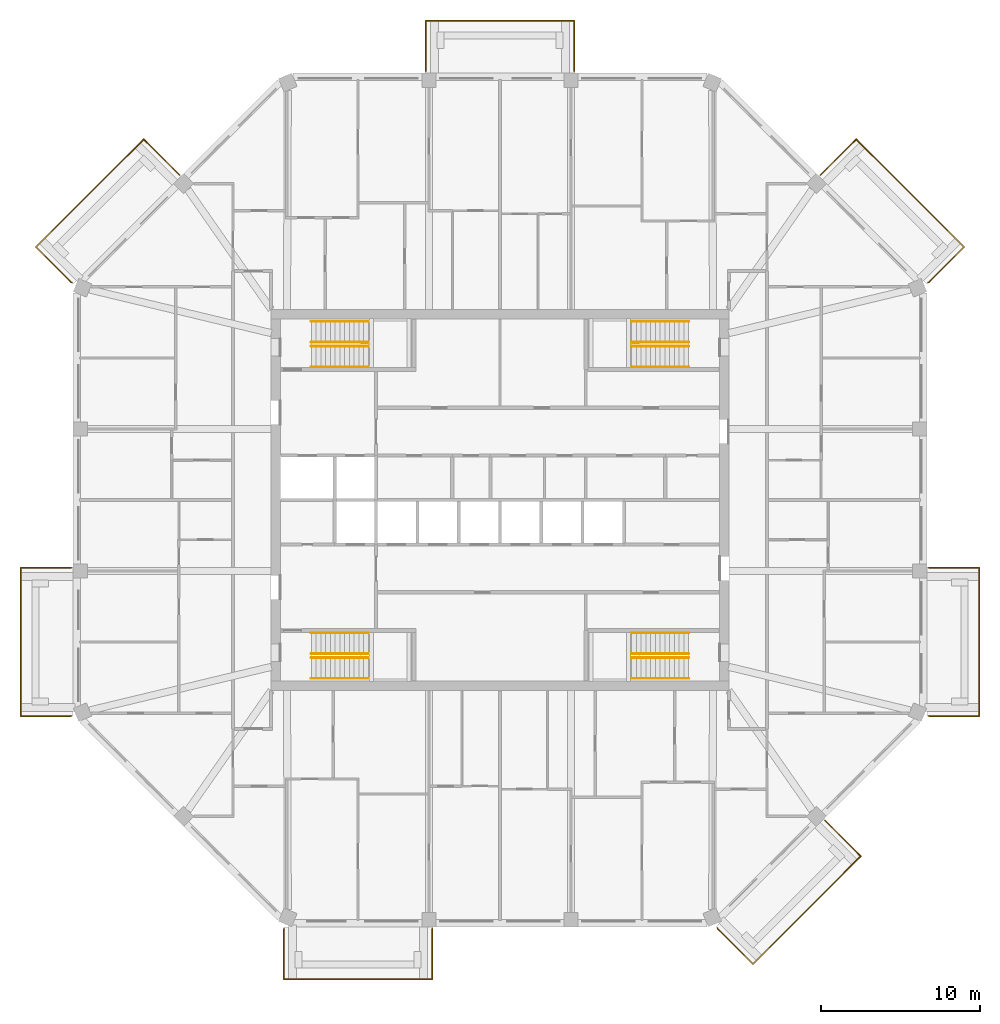
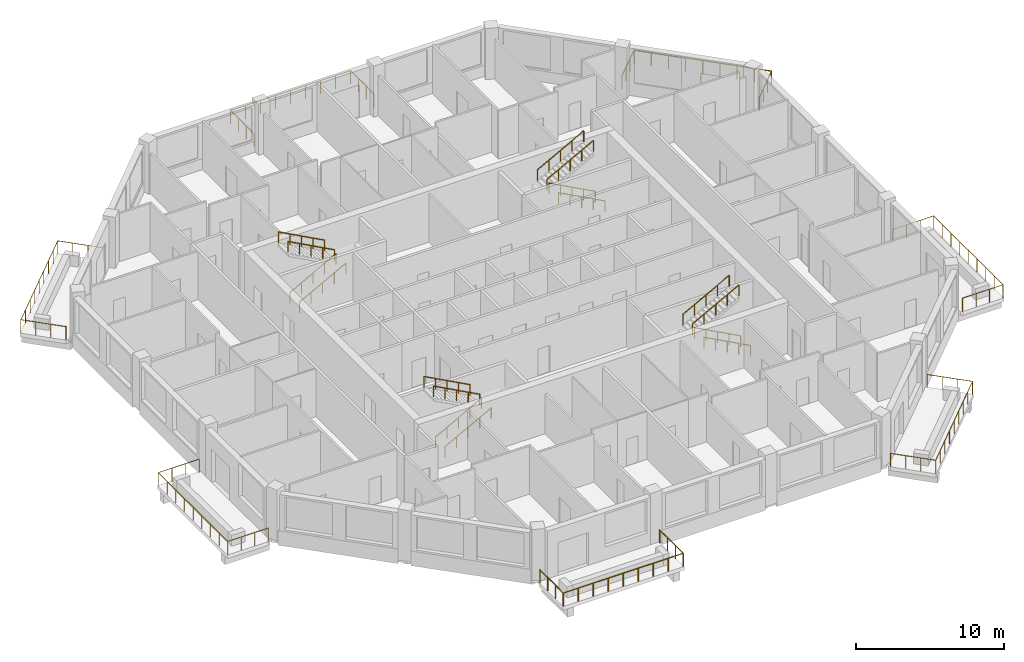
# One storey, part 11 of 11: 23 railings.
"""IFC4 building model written with IfcOpenShell, lengths in metres."""

from ifc_helpers import new_model, si_unit, direction, frame, origin, origin_2d, place, context, subcontext, project, spatial, circle, extrude, material, constituent, constituent_set, type_object, element, save


model = new_model("IFC4")

# Units and contexts
model_context = context("Model", 3, precision=1e-05, world=origin(), true_north=direction((0.0, 1.0)))
body_context = subcontext(model_context, "Body", "Model", "MODEL_VIEW")
ifc_project = project(units=[si_unit("LENGTHUNIT", "METRE"), si_unit("AREAUNIT", "SQUARE_METRE"), si_unit("VOLUMEUNIT", "CUBIC_METRE"), si_unit("PLANEANGLEUNIT", "RADIAN"), si_unit("MASSUNIT", "GRAM", prefix="KILO")], contexts=[model_context])

# Site, building, storey
site_placement = place(None, origin())
site = spatial("IfcSite", under=ifc_project, at=site_placement, CompositionType="ELEMENT")
building_placement = place(site_placement, origin())
building = spatial("IfcBuilding", under=site, at=building_placement, Name="Msitu Wima Residences", CompositionType="ELEMENT")
storey_placement = place(building_placement, frame((0.0, 0.0, 234.89990234375)))
storey = spatial("IfcBuildingStorey", under=building, at=storey_placement, Name="L54", CompositionType="ELEMENT", Elevation=234.89990234375)

# Railings
ifc_material_1 = material(Name="Steel S355", Category="steel")
ifc_constituent_1 = constituent(ifc_material_1, Name="Steel S355")
ifc_material_2 = material(Name="Weathering patina")
ifc_constituent_2 = constituent(ifc_material_2, Name="Weathering patina")
ifc_constituent_set_1 = constituent_set(constituents=[ifc_constituent_1, ifc_constituent_2], Name="Steel S355")
railing_type_1 = type_object("IfcRailingType", Name="Balcony guard GR1100", PredefinedType="GUARDRAIL", material=ifc_constituent_set_1)
railing_1_placement = place(storey_placement, frame((26.97998046875, -4.2685546875, 0.0)))
element("IfcRailing", 1, at=railing_1_placement, inside=storey, type_object=railing_type_1, Name="Balcony guard E0 L54", PredefinedType="GUARDRAIL", context=body_context, shape_type="SweptSolid", body=[
    extrude(circle(Radius=0.02392578125, at=origin_2d()), frame((0.0, 0.0, 1.076171875), z_axis=(1.0, 0.0, 0.0), x_axis=(0.0, 1.0, 0.0)), (0.0, 0.0, 1.0), 3.169921875),
    extrude(circle(Radius=0.02392578125, at=origin_2d()), frame((3.169921875, 0.0, 1.076171875), z_axis=(0.0, -1.0, 0.0), x_axis=(1.0, 0.0, 0.0)), (0.0, 0.0, 1.0), 9.33740234375),
    extrude(circle(Radius=0.02392578125, at=origin_2d()), frame((3.169921875, -9.33740234375, 1.076171875), z_axis=(-1.0, 0.0, 0.0), x_axis=(0.0, -1.0, 0.0)), (0.0, 0.0, 1.0), 3.136474609375),
    extrude(circle(Radius=0.02392578125, at=origin_2d()), frame((0.033447265625, -9.33740234375, 1.076171875), z_axis=(-0.923276184907, 0.384136806859, 0.0), x_axis=(-0.384136806859, -0.923276184907, 0.0)), (0.0, 0.0, 1.0), 0.0361328125),
    extrude(circle(Radius=0.02099609375, at=origin_2d()), origin(), (0.0, 0.0, 1.0), 1.052001953125),
    extrude(circle(Radius=0.02099609375, at=origin_2d()), frame((1.056640625, 0.0, 0.0)), (0.0, 0.0, 1.0), 1.052001953125),
    extrude(circle(Radius=0.02099609375, at=origin_2d()), frame((2.11328125, 0.0, 0.0)), (0.0, 0.0, 1.0), 1.052001953125),
    extrude(circle(Radius=0.02099609375, at=origin_2d()), frame((3.169921875, 0.0, 0.0)), (0.0, 0.0, 1.0), 1.052001953125),
    extrude(circle(Radius=0.02099609375, at=origin_2d()), frame((3.169921875, -1.167236328125, 0.0)), (0.0, 0.0, 1.0), 1.052001953125),
    extrude(circle(Radius=0.02099609375, at=origin_2d()), frame((3.169921875, -2.33447265625, 0.0)), (0.0, 0.0, 1.0), 1.052001953125),
    extrude(circle(Radius=0.02099609375, at=origin_2d()), frame((3.169921875, -3.50146484375, 0.0)), (0.0, 0.0, 1.0), 1.052001953125),
    extrude(circle(Radius=0.02099609375, at=origin_2d()), frame((3.169921875, -4.668701171875, 0.0)), (0.0, 0.0, 1.0), 1.052001953125),
    extrude(circle(Radius=0.02099609375, at=origin_2d()), frame((3.169921875, -5.8359375, 0.0)), (0.0, 0.0, 1.0), 1.052001953125),
    extrude(circle(Radius=0.02099609375, at=origin_2d()), frame((3.169921875, -7.0029296875, 0.0)), (0.0, 0.0, 1.0), 1.052001953125),
    extrude(circle(Radius=0.02099609375, at=origin_2d()), frame((3.169921875, -8.170166015625, 0.0)), (0.0, 0.0, 1.0), 1.052001953125),
    extrude(circle(Radius=0.02099609375, at=origin_2d()), frame((3.169921875, -9.33740234375, 0.0)), (0.0, 0.0, 1.0), 1.052001953125),
    extrude(circle(Radius=0.02099609375, at=origin_2d()), frame((2.12451171875, -9.33740234375, 0.0)), (0.0, 0.0, 1.0), 1.052001953125),
    extrude(circle(Radius=0.02099609375, at=origin_2d()), frame((1.078857421875, -9.33740234375, 0.0)), (0.0, 0.0, 1.0), 1.052001953125),
    extrude(circle(Radius=0.02099609375, at=origin_2d()), frame((0.033447265625, -9.33740234375, 0.0)), (0.0, 0.0, 1.0), 1.052001953125),
    extrude(circle(Radius=0.02099609375, at=origin_2d()), frame((0.0, -9.323486328125, 0.0)), (0.0, 0.0, 1.0), 1.052001953125),
])
railing_2_placement = place(storey_placement, frame((20.171630859375, 20.45458984375, 0.0)))
element("IfcRailing", 2, at=railing_2_placement, inside=storey, type_object=railing_type_1, Name="Balcony guard NE0 L54", PredefinedType="GUARDRAIL", context=body_context, shape_type="SweptSolid", body=[
    extrude(circle(Radius=0.02392578125, at=origin_2d()), frame((0.0, 0.0, 1.076171875), z_axis=(0.707106781187, 0.707106781187, 0.0), x_axis=(-0.707106781187, 0.707106781187, 0.0)), (0.0, 0.0, 1.0), 3.169921875),
    extrude(circle(Radius=0.02392578125, at=origin_2d()), frame((2.241455078125, 2.241455078125, 1.076171875), z_axis=(0.707106781187, -0.707106781187, 0.0), x_axis=(0.707106781187, 0.707106781187, 0.0)), (0.0, 0.0, 1.0), 9.58837890625),
    extrude(circle(Radius=0.02392578125, at=origin_2d()), frame((9.021484375, -4.53857421875, 1.076171875), z_axis=(-0.707106781187, -0.707106781187, 0.0), x_axis=(0.707106781187, -0.707106781187, 0.0)), (0.0, 0.0, 1.0), 3.136474609375),
    extrude(circle(Radius=0.02392578125, at=origin_2d()), frame((6.8037109375, -6.75634765625, 1.076171875), z_axis=(-0.92426142649, -0.38176015442, 0.0), x_axis=(0.38176015442, -0.92426142649, 0.0)), (0.0, 0.0, 1.0), 0.036376953125),
    extrude(circle(Radius=0.02099609375, at=origin_2d()), origin(), (0.0, 0.0, 1.0), 1.052001953125),
    extrude(circle(Radius=0.02099609375, at=origin_2d()), frame((0.7470703125, 0.7470703125, 0.0)), (0.0, 0.0, 1.0), 1.052001953125),
    extrude(circle(Radius=0.02099609375, at=origin_2d()), frame((1.494384765625, 1.494384765625, 0.0)), (0.0, 0.0, 1.0), 1.052001953125),
    extrude(circle(Radius=0.02099609375, at=origin_2d()), frame((2.241455078125, 2.241455078125, 0.0)), (0.0, 0.0, 1.0), 1.052001953125),
    extrude(circle(Radius=0.02099609375, at=origin_2d()), frame((3.0888671875, 1.39404296875, 0.0)), (0.0, 0.0, 1.0), 1.052001953125),
    extrude(circle(Radius=0.02099609375, at=origin_2d()), frame((3.9365234375, 0.54638671875, 0.0)), (0.0, 0.0, 1.0), 1.052001953125),
    extrude(circle(Radius=0.02099609375, at=origin_2d()), frame((4.783935546875, -0.301025390625, 0.0)), (0.0, 0.0, 1.0), 1.052001953125),
    extrude(circle(Radius=0.02099609375, at=origin_2d()), frame((5.63134765625, -1.1484375, 0.0)), (0.0, 0.0, 1.0), 1.052001953125),
    extrude(circle(Radius=0.02099609375, at=origin_2d()), frame((6.47900390625, -1.99609375, 0.0)), (0.0, 0.0, 1.0), 1.052001953125),
    extrude(circle(Radius=0.02099609375, at=origin_2d()), frame((7.326416015625, -2.843505859375, 0.0)), (0.0, 0.0, 1.0), 1.052001953125),
    extrude(circle(Radius=0.02099609375, at=origin_2d()), frame((8.174072265625, -3.691162109375, 0.0)), (0.0, 0.0, 1.0), 1.052001953125),
    extrude(circle(Radius=0.02099609375, at=origin_2d()), frame((9.021484375, -4.53857421875, 0.0)), (0.0, 0.0, 1.0), 1.052001953125),
    extrude(circle(Radius=0.02099609375, at=origin_2d()), frame((8.2822265625, -5.27783203125, 0.0)), (0.0, 0.0, 1.0), 1.052001953125),
    extrude(circle(Radius=0.02099609375, at=origin_2d()), frame((7.54296875, -6.01708984375, 0.0)), (0.0, 0.0, 1.0), 1.052001953125),
    extrude(circle(Radius=0.02099609375, at=origin_2d()), frame((6.8037109375, -6.75634765625, 0.0)), (0.0, 0.0, 1.0), 1.052001953125),
    extrude(circle(Radius=0.02099609375, at=origin_2d()), frame((6.77001953125, -6.770263671875, 0.0)), (0.0, 0.0, 1.0), 1.052001953125),
])
railing_3_placement = place(storey_placement, frame((-4.668701171875, 26.97998046875, 0.0)))
element("IfcRailing", 3, at=railing_3_placement, inside=storey, type_object=railing_type_1, Name="Balcony guard N1 L54", PredefinedType="GUARDRAIL", context=body_context, shape_type="SweptSolid", body=[
    extrude(circle(Radius=0.02392578125, at=origin_2d()), frame((0.0, 0.0, 1.076171875), z_axis=(0.0, 1.0, 0.0), x_axis=(-1.0, 0.0, 0.0)), (0.0, 0.0, 1.0), 3.169921875),
    extrude(circle(Radius=0.02392578125, at=origin_2d()), frame((0.0, 3.169921875, 1.076171875), z_axis=(1.0, 0.0, 0.0), x_axis=(0.0, 1.0, 0.0)), (0.0, 0.0, 1.0), 9.33740234375),
    extrude(circle(Radius=0.02392578125, at=origin_2d()), frame((9.33740234375, 3.169921875, 1.076171875), z_axis=(0.0, -1.0, 0.0), x_axis=(1.0, 0.0, 0.0)), (0.0, 0.0, 1.0), 3.169921875),
    extrude(circle(Radius=0.02099609375, at=origin_2d()), origin(), (0.0, 0.0, 1.0), 1.052001953125),
    extrude(circle(Radius=0.02099609375, at=origin_2d()), frame((0.0, 1.056640625, 0.0)), (0.0, 0.0, 1.0), 1.052001953125),
    extrude(circle(Radius=0.02099609375, at=origin_2d()), frame((0.0, 2.11328125, 0.0)), (0.0, 0.0, 1.0), 1.052001953125),
    extrude(circle(Radius=0.02099609375, at=origin_2d()), frame((0.0, 3.169921875, 0.0)), (0.0, 0.0, 1.0), 1.052001953125),
    extrude(circle(Radius=0.02099609375, at=origin_2d()), frame((1.167236328125, 3.169921875, 0.0)), (0.0, 0.0, 1.0), 1.052001953125),
    extrude(circle(Radius=0.02099609375, at=origin_2d()), frame((2.33447265625, 3.169921875, 0.0)), (0.0, 0.0, 1.0), 1.052001953125),
    extrude(circle(Radius=0.02099609375, at=origin_2d()), frame((3.50146484375, 3.169921875, 0.0)), (0.0, 0.0, 1.0), 1.052001953125),
    extrude(circle(Radius=0.02099609375, at=origin_2d()), frame((4.668701171875, 3.169921875, 0.0)), (0.0, 0.0, 1.0), 1.052001953125),
    extrude(circle(Radius=0.02099609375, at=origin_2d()), frame((5.8359375, 3.169921875, 0.0)), (0.0, 0.0, 1.0), 1.052001953125),
    extrude(circle(Radius=0.02099609375, at=origin_2d()), frame((7.0029296875, 3.169921875, 0.0)), (0.0, 0.0, 1.0), 1.052001953125),
    extrude(circle(Radius=0.02099609375, at=origin_2d()), frame((8.170166015625, 3.169921875, 0.0)), (0.0, 0.0, 1.0), 1.052001953125),
    extrude(circle(Radius=0.02099609375, at=origin_2d()), frame((9.33740234375, 3.169921875, 0.0)), (0.0, 0.0, 1.0), 1.052001953125),
    extrude(circle(Radius=0.02099609375, at=origin_2d()), frame((9.33740234375, 2.11328125, 0.0)), (0.0, 0.0, 1.0), 1.052001953125),
    extrude(circle(Radius=0.02099609375, at=origin_2d()), frame((9.33740234375, 1.056640625, 0.0)), (0.0, 0.0, 1.0), 1.052001953125),
    extrude(circle(Radius=0.02099609375, at=origin_2d()), frame((9.33740234375, 0.0, 0.0)), (0.0, 0.0, 1.0), 1.052001953125),
])
railing_4_placement = place(storey_placement, frame((-26.941650390625, 13.684326171875, 0.0)))
element("IfcRailing", 4, at=railing_4_placement, inside=storey, type_object=railing_type_1, Name="Balcony guard NW1 L54", PredefinedType="GUARDRAIL", context=body_context, shape_type="SweptSolid", body=[
    extrude(circle(Radius=0.02392578125, at=origin_2d()), frame((0.0, 0.0, 1.076171875), z_axis=(-0.92426142649, 0.38176015442, 0.0), x_axis=(-0.38176015442, -0.92426142649, 0.0)), (0.0, 0.0, 1.0), 0.036376953125),
    extrude(circle(Radius=0.02392578125, at=origin_2d()), frame((-0.03369140625, 0.013916015625, 1.076171875), z_axis=(-0.707106781187, 0.707106781187, 0.0), x_axis=(-0.707106781187, -0.707106781187, 0.0)), (0.0, 0.0, 1.0), 3.136474609375),
    extrude(circle(Radius=0.02392578125, at=origin_2d()), frame((-2.25146484375, 2.231689453125, 1.076171875), z_axis=(0.707106781187, 0.707106781187, 0.0), x_axis=(-0.707106781187, 0.707106781187, 0.0)), (0.0, 0.0, 1.0), 9.58837890625),
    extrude(circle(Radius=0.02392578125, at=origin_2d()), frame((4.528564453125, 9.01171875, 1.076171875), z_axis=(0.707106781187, -0.707106781187, 0.0), x_axis=(0.707106781187, 0.707106781187, 0.0)), (0.0, 0.0, 1.0), 3.169921875),
    extrude(circle(Radius=0.02099609375, at=origin_2d()), origin(), (0.0, 0.0, 1.0), 1.052001953125),
    extrude(circle(Radius=0.02099609375, at=origin_2d()), frame((-0.03369140625, 0.013916015625, 0.0)), (0.0, 0.0, 1.0), 1.052001953125),
    extrude(circle(Radius=0.02099609375, at=origin_2d()), frame((-0.77294921875, 0.753173828125, 0.0)), (0.0, 0.0, 1.0), 1.052001953125),
    extrude(circle(Radius=0.02099609375, at=origin_2d()), frame((-1.51220703125, 1.492431640625, 0.0)), (0.0, 0.0, 1.0), 1.052001953125),
    extrude(circle(Radius=0.02099609375, at=origin_2d()), frame((-2.25146484375, 2.231689453125, 0.0)), (0.0, 0.0, 1.0), 1.052001953125),
    extrude(circle(Radius=0.02099609375, at=origin_2d()), frame((-1.404052734375, 3.0791015625, 0.0)), (0.0, 0.0, 1.0), 1.052001953125),
    extrude(circle(Radius=0.02099609375, at=origin_2d()), frame((-0.556396484375, 3.9267578125, 0.0)), (0.0, 0.0, 1.0), 1.052001953125),
    extrude(circle(Radius=0.02099609375, at=origin_2d()), frame((0.291015625, 4.774169921875, 0.0)), (0.0, 0.0, 1.0), 1.052001953125),
    extrude(circle(Radius=0.02099609375, at=origin_2d()), frame((1.138671875, 5.62158203125, 0.0)), (0.0, 0.0, 1.0), 1.052001953125),
    extrude(circle(Radius=0.02099609375, at=origin_2d()), frame((1.986083984375, 6.46923828125, 0.0)), (0.0, 0.0, 1.0), 1.052001953125),
    extrude(circle(Radius=0.02099609375, at=origin_2d()), frame((2.83349609375, 7.316650390625, 0.0)), (0.0, 0.0, 1.0), 1.052001953125),
    extrude(circle(Radius=0.02099609375, at=origin_2d()), frame((3.68115234375, 8.164306640625, 0.0)), (0.0, 0.0, 1.0), 1.052001953125),
    extrude(circle(Radius=0.02099609375, at=origin_2d()), frame((4.528564453125, 9.01171875, 0.0)), (0.0, 0.0, 1.0), 1.052001953125),
    extrude(circle(Radius=0.02099609375, at=origin_2d()), frame((5.275634765625, 8.2646484375, 0.0)), (0.0, 0.0, 1.0), 1.052001953125),
    extrude(circle(Radius=0.02099609375, at=origin_2d()), frame((6.02294921875, 7.517333984375, 0.0)), (0.0, 0.0, 1.0), 1.052001953125),
    extrude(circle(Radius=0.02099609375, at=origin_2d()), frame((6.77001953125, 6.770263671875, 0.0)), (0.0, 0.0, 1.0), 1.052001953125),
])
railing_5_placement = place(storey_placement, frame((-26.97998046875, -13.592041015625, 0.0)))
element("IfcRailing", 5, at=railing_5_placement, inside=storey, type_object=railing_type_1, Name="Balcony guard W2 L54", PredefinedType="GUARDRAIL", context=body_context, shape_type="SweptSolid", body=[
    extrude(circle(Radius=0.02392578125, at=origin_2d()), frame((0.0, 0.0, 1.076171875), z_axis=(-0.923276184907, -0.384136806859, 0.0), x_axis=(0.384136806859, -0.923276184907, 0.0)), (0.0, 0.0, 1.0), 0.0361328125),
    extrude(circle(Radius=0.02392578125, at=origin_2d()), frame((-0.033447265625, -0.013916015625, 1.076171875), z_axis=(-1.0, 0.0, 0.0), x_axis=(0.0, -1.0, 0.0)), (0.0, 0.0, 1.0), 3.136474609375),
    extrude(circle(Radius=0.02392578125, at=origin_2d()), frame((-3.169921875, -0.013916015625, 1.076171875), z_axis=(0.0, 1.0, 0.0), x_axis=(-1.0, 0.0, 0.0)), (0.0, 0.0, 1.0), 9.33740234375),
    extrude(circle(Radius=0.02392578125, at=origin_2d()), frame((-3.169921875, 9.323486328125, 1.076171875), z_axis=(1.0, 0.0, 0.0), x_axis=(0.0, 1.0, 0.0)), (0.0, 0.0, 1.0), 3.169921875),
    extrude(circle(Radius=0.02099609375, at=origin_2d()), origin(), (0.0, 0.0, 1.0), 1.052001953125),
    extrude(circle(Radius=0.02099609375, at=origin_2d()), frame((-0.033447265625, -0.013916015625, 0.0)), (0.0, 0.0, 1.0), 1.052001953125),
    extrude(circle(Radius=0.02099609375, at=origin_2d()), frame((-1.078857421875, -0.013916015625, 0.0)), (0.0, 0.0, 1.0), 1.052001953125),
    extrude(circle(Radius=0.02099609375, at=origin_2d()), frame((-2.12451171875, -0.013916015625, 0.0)), (0.0, 0.0, 1.0), 1.052001953125),
    extrude(circle(Radius=0.02099609375, at=origin_2d()), frame((-3.169921875, -0.013916015625, 0.0)), (0.0, 0.0, 1.0), 1.052001953125),
    extrude(circle(Radius=0.02099609375, at=origin_2d()), frame((-3.169921875, 1.1533203125, 0.0)), (0.0, 0.0, 1.0), 1.052001953125),
    extrude(circle(Radius=0.02099609375, at=origin_2d()), frame((-3.169921875, 2.3203125, 0.0)), (0.0, 0.0, 1.0), 1.052001953125),
    extrude(circle(Radius=0.02099609375, at=origin_2d()), frame((-3.169921875, 3.487548828125, 0.0)), (0.0, 0.0, 1.0), 1.052001953125),
    extrude(circle(Radius=0.02099609375, at=origin_2d()), frame((-3.169921875, 4.65478515625, 0.0)), (0.0, 0.0, 1.0), 1.052001953125),
    extrude(circle(Radius=0.02099609375, at=origin_2d()), frame((-3.169921875, 5.822021484375, 0.0)), (0.0, 0.0, 1.0), 1.052001953125),
    extrude(circle(Radius=0.02099609375, at=origin_2d()), frame((-3.169921875, 6.9892578125, 0.0)), (0.0, 0.0, 1.0), 1.052001953125),
    extrude(circle(Radius=0.02099609375, at=origin_2d()), frame((-3.169921875, 8.15625, 0.0)), (0.0, 0.0, 1.0), 1.052001953125),
    extrude(circle(Radius=0.02099609375, at=origin_2d()), frame((-3.169921875, 9.323486328125, 0.0)), (0.0, 0.0, 1.0), 1.052001953125),
    extrude(circle(Radius=0.02099609375, at=origin_2d()), frame((-2.11328125, 9.323486328125, 0.0)), (0.0, 0.0, 1.0), 1.052001953125),
    extrude(circle(Radius=0.02099609375, at=origin_2d()), frame((-1.056640625, 9.323486328125, 0.0)), (0.0, 0.0, 1.0), 1.052001953125),
    extrude(circle(Radius=0.02099609375, at=origin_2d()), frame((0.0, 9.323486328125, 0.0)), (0.0, 0.0, 1.0), 1.052001953125),
])
railing_6_placement = place(storey_placement, frame((-4.2685546875, -26.97998046875, 0.0)))
element("IfcRailing", 6, at=railing_6_placement, inside=storey, type_object=railing_type_1, Name="Balcony guard S0 L54", PredefinedType="GUARDRAIL", context=body_context, shape_type="SweptSolid", body=[
    extrude(circle(Radius=0.02392578125, at=origin_2d()), frame((0.0, 0.0, 1.076171875), z_axis=(0.0, -1.0, 0.0), x_axis=(1.0, 0.0, 0.0)), (0.0, 0.0, 1.0), 3.169921875),
    extrude(circle(Radius=0.02392578125, at=origin_2d()), frame((0.0, -3.169921875, 1.076171875), z_axis=(-1.0, 0.0, 0.0), x_axis=(0.0, -1.0, 0.0)), (0.0, 0.0, 1.0), 9.33740234375),
    extrude(circle(Radius=0.02392578125, at=origin_2d()), frame((-9.33740234375, -3.169921875, 1.076171875), z_axis=(0.0, 1.0, 0.0), x_axis=(-1.0, 0.0, 0.0)), (0.0, 0.0, 1.0), 3.136474609375),
    extrude(circle(Radius=0.02392578125, at=origin_2d()), frame((-9.33740234375, -0.033447265625, 1.076171875), z_axis=(0.384136806859, 0.923276184907, 0.0), x_axis=(-0.923276184907, 0.384136806859, 0.0)), (0.0, 0.0, 1.0), 0.0361328125),
    extrude(circle(Radius=0.02099609375, at=origin_2d()), origin(), (0.0, 0.0, 1.0), 1.052001953125),
    extrude(circle(Radius=0.02099609375, at=origin_2d()), frame((0.0, -1.056640625, 0.0)), (0.0, 0.0, 1.0), 1.052001953125),
    extrude(circle(Radius=0.02099609375, at=origin_2d()), frame((0.0, -2.11328125, 0.0)), (0.0, 0.0, 1.0), 1.052001953125),
    extrude(circle(Radius=0.02099609375, at=origin_2d()), frame((0.0, -3.169921875, 0.0)), (0.0, 0.0, 1.0), 1.052001953125),
    extrude(circle(Radius=0.02099609375, at=origin_2d()), frame((-1.167236328125, -3.169921875, 0.0)), (0.0, 0.0, 1.0), 1.052001953125),
    extrude(circle(Radius=0.02099609375, at=origin_2d()), frame((-2.33447265625, -3.169921875, 0.0)), (0.0, 0.0, 1.0), 1.052001953125),
    extrude(circle(Radius=0.02099609375, at=origin_2d()), frame((-3.50146484375, -3.169921875, 0.0)), (0.0, 0.0, 1.0), 1.052001953125),
    extrude(circle(Radius=0.02099609375, at=origin_2d()), frame((-4.668701171875, -3.169921875, 0.0)), (0.0, 0.0, 1.0), 1.052001953125),
    extrude(circle(Radius=0.02099609375, at=origin_2d()), frame((-5.8359375, -3.169921875, 0.0)), (0.0, 0.0, 1.0), 1.052001953125),
    extrude(circle(Radius=0.02099609375, at=origin_2d()), frame((-7.0029296875, -3.169921875, 0.0)), (0.0, 0.0, 1.0), 1.052001953125),
    extrude(circle(Radius=0.02099609375, at=origin_2d()), frame((-8.170166015625, -3.169921875, 0.0)), (0.0, 0.0, 1.0), 1.052001953125),
    extrude(circle(Radius=0.02099609375, at=origin_2d()), frame((-9.33740234375, -3.169921875, 0.0)), (0.0, 0.0, 1.0), 1.052001953125),
    extrude(circle(Radius=0.02099609375, at=origin_2d()), frame((-9.33740234375, -2.12451171875, 0.0)), (0.0, 0.0, 1.0), 1.052001953125),
    extrude(circle(Radius=0.02099609375, at=origin_2d()), frame((-9.33740234375, -1.078857421875, 0.0)), (0.0, 0.0, 1.0), 1.052001953125),
    extrude(circle(Radius=0.02099609375, at=origin_2d()), frame((-9.33740234375, -0.033447265625, 0.0)), (0.0, 0.0, 1.0), 1.052001953125),
    extrude(circle(Radius=0.02099609375, at=origin_2d()), frame((-9.323486328125, 0.0, 0.0)), (0.0, 0.0, 1.0), 1.052001953125),
])
railing_7_placement = place(storey_placement, frame((20.45458984375, -20.171630859375, 0.0)))
element("IfcRailing", 7, at=railing_7_placement, inside=storey, type_object=railing_type_1, Name="Balcony guard SE0 L54", PredefinedType="GUARDRAIL", context=body_context, shape_type="SweptSolid", body=[
    extrude(circle(Radius=0.02392578125, at=origin_2d()), frame((0.0, 0.0, 1.076171875), z_axis=(0.707106781187, -0.707106781187, 0.0), x_axis=(0.707106781187, 0.707106781187, 0.0)), (0.0, 0.0, 1.0), 3.169921875),
    extrude(circle(Radius=0.02392578125, at=origin_2d()), frame((2.241455078125, -2.241455078125, 1.076171875), z_axis=(-0.707106781187, -0.707106781187, 0.0), x_axis=(0.707106781187, -0.707106781187, 0.0)), (0.0, 0.0, 1.0), 9.58837890625),
    extrude(circle(Radius=0.02392578125, at=origin_2d()), frame((-4.53857421875, -9.021484375, 1.076171875), z_axis=(-0.707106781187, 0.707106781187, 0.0), x_axis=(-0.707106781187, -0.707106781187, 0.0)), (0.0, 0.0, 1.0), 3.136474609375),
    extrude(circle(Radius=0.02392578125, at=origin_2d()), frame((-6.75634765625, -6.8037109375, 1.076171875), z_axis=(-0.38176015442, 0.92426142649, 0.0), x_axis=(-0.92426142649, -0.38176015442, 0.0)), (0.0, 0.0, 1.0), 0.036376953125),
    extrude(circle(Radius=0.02099609375, at=origin_2d()), origin(), (0.0, 0.0, 1.0), 1.052001953125),
    extrude(circle(Radius=0.02099609375, at=origin_2d()), frame((0.7470703125, -0.7470703125, 0.0)), (0.0, 0.0, 1.0), 1.052001953125),
    extrude(circle(Radius=0.02099609375, at=origin_2d()), frame((1.494384765625, -1.494384765625, 0.0)), (0.0, 0.0, 1.0), 1.052001953125),
    extrude(circle(Radius=0.02099609375, at=origin_2d()), frame((2.241455078125, -2.241455078125, 0.0)), (0.0, 0.0, 1.0), 1.052001953125),
    extrude(circle(Radius=0.02099609375, at=origin_2d()), frame((1.39404296875, -3.0888671875, 0.0)), (0.0, 0.0, 1.0), 1.052001953125),
    extrude(circle(Radius=0.02099609375, at=origin_2d()), frame((0.54638671875, -3.9365234375, 0.0)), (0.0, 0.0, 1.0), 1.052001953125),
    extrude(circle(Radius=0.02099609375, at=origin_2d()), frame((-0.301025390625, -4.783935546875, 0.0)), (0.0, 0.0, 1.0), 1.052001953125),
    extrude(circle(Radius=0.02099609375, at=origin_2d()), frame((-1.1484375, -5.63134765625, 0.0)), (0.0, 0.0, 1.0), 1.052001953125),
    extrude(circle(Radius=0.02099609375, at=origin_2d()), frame((-1.99609375, -6.47900390625, 0.0)), (0.0, 0.0, 1.0), 1.052001953125),
    extrude(circle(Radius=0.02099609375, at=origin_2d()), frame((-2.843505859375, -7.326416015625, 0.0)), (0.0, 0.0, 1.0), 1.052001953125),
    extrude(circle(Radius=0.02099609375, at=origin_2d()), frame((-3.691162109375, -8.174072265625, 0.0)), (0.0, 0.0, 1.0), 1.052001953125),
    extrude(circle(Radius=0.02099609375, at=origin_2d()), frame((-4.53857421875, -9.021484375, 0.0)), (0.0, 0.0, 1.0), 1.052001953125),
    extrude(circle(Radius=0.02099609375, at=origin_2d()), frame((-5.27783203125, -8.2822265625, 0.0)), (0.0, 0.0, 1.0), 1.052001953125),
    extrude(circle(Radius=0.02099609375, at=origin_2d()), frame((-6.01708984375, -7.54296875, 0.0)), (0.0, 0.0, 1.0), 1.052001953125),
    extrude(circle(Radius=0.02099609375, at=origin_2d()), frame((-6.75634765625, -6.8037109375, 0.0)), (0.0, 0.0, 1.0), 1.052001953125),
    extrude(circle(Radius=0.02099609375, at=origin_2d()), frame((-6.770263671875, -6.77001953125, 0.0)), (0.0, 0.0, 1.0), 1.052001953125),
])
ifc_constituent_3 = constituent(ifc_material_1, Name="Steel S355")
ifc_material_3 = material(Name="Black powder coating")
ifc_constituent_4 = constituent(ifc_material_3, Name="Black powder coating")
ifc_constituent_set_2 = constituent_set(constituents=[ifc_constituent_3, ifc_constituent_4], Name="Steel S355")
railing_type_2 = type_object("IfcRailingType", Name="Stair handrail HR1", PredefinedType="HANDRAIL", material=ifc_constituent_set_2)
for number, where, name in (
    (8, (-11.875, 8.375, 0.16162109375), "Stair 1 handrail"),
    (9, (-11.875, 9.675048828125, 0.16162109375), "Stair 1 handrail"),
):
    element("IfcRailing", number, at=place(storey_placement, frame(where)), inside=storey, type_object=railing_type_2, Name=name, PredefinedType="HANDRAIL", context=body_context, shape_type="SweptSolid", body=[
        extrude(circle(Radius=0.02392578125, at=origin_2d()), frame((0.0, 0.0, 0.8759765625), z_axis=(0.880474934443, 0.0, 0.474092701714), x_axis=(0.0, 1.0, 0.0)), (0.0, 0.0, 1.0), 4.0888671875),
        extrude(circle(Radius=0.02099609375, at=origin_2d()), origin(), (0.0, 0.0, 1.0), 0.851806640625),
        extrude(circle(Radius=0.02099609375, at=origin_2d()), frame((0.89990234375, 0.0, 0.484619140625)), (0.0, 0.0, 1.0), 0.851806640625),
        extrude(circle(Radius=0.02099609375, at=origin_2d()), frame((1.800048828125, 0.0, 0.96923828125)), (0.0, 0.0, 1.0), 0.851806640625),
        extrude(circle(Radius=0.02099609375, at=origin_2d()), frame((2.7001953125, 0.0, 1.453857421875)), (0.0, 0.0, 1.0), 0.851806640625),
        extrude(circle(Radius=0.02099609375, at=origin_2d()), frame((3.60009765625, 0.0, 1.9384765625)), (0.0, 0.0, 1.0), 0.851806640625),
    ])
for number, where, name in (
    (10, (-8.27490234375, 9.925048828125, 2.26171875), "Stair 1 handrail"),
    (11, (-8.27490234375, 11.22509765625, 2.26171875), "Stair 1 handrail"),
):
    element("IfcRailing", number, at=place(storey_placement, frame(where)), inside=storey, type_object=railing_type_2, Name=name, PredefinedType="HANDRAIL", context=body_context, shape_type="SweptSolid", body=[
        extrude(circle(Radius=0.02392578125, at=origin_2d()), frame((0.0, 0.0, 0.8759765625), z_axis=(-0.880474934443, 0.0, 0.474092701714), x_axis=(0.0, -1.0, 0.0)), (0.0, 0.0, 1.0), 4.0888671875),
        extrude(circle(Radius=0.02099609375, at=origin_2d()), origin(), (0.0, 0.0, 1.0), 0.851806640625),
        extrude(circle(Radius=0.02099609375, at=origin_2d()), frame((-0.89990234375, 0.0, 0.484619140625)), (0.0, 0.0, 1.0), 0.851806640625),
        extrude(circle(Radius=0.02099609375, at=origin_2d()), frame((-1.800048828125, 0.0, 0.96923828125)), (0.0, 0.0, 1.0), 0.851806640625),
        extrude(circle(Radius=0.02099609375, at=origin_2d()), frame((-2.7001953125, 0.0, 1.453857421875)), (0.0, 0.0, 1.0), 0.851806640625),
        extrude(circle(Radius=0.02099609375, at=origin_2d()), frame((-3.60009765625, 0.0, 1.9384765625)), (0.0, 0.0, 1.0), 0.851806640625),
    ])
for number, where, name in (
    (12, (-11.875, -11.22509765625, 0.16162109375), "Stair 2 handrail"),
    (13, (-11.875, -9.925048828125, 0.16162109375), "Stair 2 handrail"),
):
    element("IfcRailing", number, at=place(storey_placement, frame(where)), inside=storey, type_object=railing_type_2, Name=name, PredefinedType="HANDRAIL", context=body_context, shape_type="SweptSolid", body=[
        extrude(circle(Radius=0.02392578125, at=origin_2d()), frame((0.0, 0.0, 0.8759765625), z_axis=(0.880474934443, 0.0, 0.474092701714), x_axis=(0.0, 1.0, 0.0)), (0.0, 0.0, 1.0), 4.0888671875),
        extrude(circle(Radius=0.02099609375, at=origin_2d()), origin(), (0.0, 0.0, 1.0), 0.851806640625),
        extrude(circle(Radius=0.02099609375, at=origin_2d()), frame((0.89990234375, 0.0, 0.484619140625)), (0.0, 0.0, 1.0), 0.851806640625),
        extrude(circle(Radius=0.02099609375, at=origin_2d()), frame((1.800048828125, 0.0, 0.96923828125)), (0.0, 0.0, 1.0), 0.851806640625),
        extrude(circle(Radius=0.02099609375, at=origin_2d()), frame((2.7001953125, 0.0, 1.453857421875)), (0.0, 0.0, 1.0), 0.851806640625),
        extrude(circle(Radius=0.02099609375, at=origin_2d()), frame((3.60009765625, 0.0, 1.9384765625)), (0.0, 0.0, 1.0), 0.851806640625),
    ])
for number, where, name in (
    (14, (-8.27490234375, -9.675048828125, 2.26171875), "Stair 2 handrail"),
    (15, (-8.27490234375, -8.375, 2.26171875), "Stair 2 handrail"),
    (16, (11.875, 8.375, 0.16162109375), "Stair 3 handrail"),
    (17, (11.875, 9.675048828125, 0.16162109375), "Stair 3 handrail"),
):
    element("IfcRailing", number, at=place(storey_placement, frame(where)), inside=storey, type_object=railing_type_2, Name=name, PredefinedType="HANDRAIL", context=body_context, shape_type="SweptSolid", body=[
        extrude(circle(Radius=0.02392578125, at=origin_2d()), frame((0.0, 0.0, 0.8759765625), z_axis=(-0.880474934443, 0.0, 0.474092701714), x_axis=(0.0, -1.0, 0.0)), (0.0, 0.0, 1.0), 4.0888671875),
        extrude(circle(Radius=0.02099609375, at=origin_2d()), origin(), (0.0, 0.0, 1.0), 0.851806640625),
        extrude(circle(Radius=0.02099609375, at=origin_2d()), frame((-0.89990234375, 0.0, 0.484619140625)), (0.0, 0.0, 1.0), 0.851806640625),
        extrude(circle(Radius=0.02099609375, at=origin_2d()), frame((-1.800048828125, 0.0, 0.96923828125)), (0.0, 0.0, 1.0), 0.851806640625),
        extrude(circle(Radius=0.02099609375, at=origin_2d()), frame((-2.7001953125, 0.0, 1.453857421875)), (0.0, 0.0, 1.0), 0.851806640625),
        extrude(circle(Radius=0.02099609375, at=origin_2d()), frame((-3.60009765625, 0.0, 1.9384765625)), (0.0, 0.0, 1.0), 0.851806640625),
    ])
for number, where, name in (
    (18, (8.27490234375, 9.925048828125, 2.26171875), "Stair 3 handrail"),
    (19, (8.27490234375, 11.22509765625, 2.26171875), "Stair 3 handrail"),
):
    element("IfcRailing", number, at=place(storey_placement, frame(where)), inside=storey, type_object=railing_type_2, Name=name, PredefinedType="HANDRAIL", context=body_context, shape_type="SweptSolid", body=[
        extrude(circle(Radius=0.02392578125, at=origin_2d()), frame((0.0, 0.0, 0.8759765625), z_axis=(0.880474934443, 0.0, 0.474092701714), x_axis=(0.0, 1.0, 0.0)), (0.0, 0.0, 1.0), 4.0888671875),
        extrude(circle(Radius=0.02099609375, at=origin_2d()), origin(), (0.0, 0.0, 1.0), 0.851806640625),
        extrude(circle(Radius=0.02099609375, at=origin_2d()), frame((0.89990234375, 0.0, 0.484619140625)), (0.0, 0.0, 1.0), 0.851806640625),
        extrude(circle(Radius=0.02099609375, at=origin_2d()), frame((1.800048828125, 0.0, 0.96923828125)), (0.0, 0.0, 1.0), 0.851806640625),
        extrude(circle(Radius=0.02099609375, at=origin_2d()), frame((2.7001953125, 0.0, 1.453857421875)), (0.0, 0.0, 1.0), 0.851806640625),
        extrude(circle(Radius=0.02099609375, at=origin_2d()), frame((3.60009765625, 0.0, 1.9384765625)), (0.0, 0.0, 1.0), 0.851806640625),
    ])
for number, where, name in (
    (20, (11.875, -11.22509765625, 0.16162109375), "Stair 4 handrail"),
    (21, (11.875, -9.925048828125, 0.16162109375), "Stair 4 handrail"),
):
    element("IfcRailing", number, at=place(storey_placement, frame(where)), inside=storey, type_object=railing_type_2, Name=name, PredefinedType="HANDRAIL", context=body_context, shape_type="SweptSolid", body=[
        extrude(circle(Radius=0.02392578125, at=origin_2d()), frame((0.0, 0.0, 0.8759765625), z_axis=(-0.880474934443, 0.0, 0.474092701714), x_axis=(0.0, -1.0, 0.0)), (0.0, 0.0, 1.0), 4.0888671875),
        extrude(circle(Radius=0.02099609375, at=origin_2d()), origin(), (0.0, 0.0, 1.0), 0.851806640625),
        extrude(circle(Radius=0.02099609375, at=origin_2d()), frame((-0.89990234375, 0.0, 0.484619140625)), (0.0, 0.0, 1.0), 0.851806640625),
        extrude(circle(Radius=0.02099609375, at=origin_2d()), frame((-1.800048828125, 0.0, 0.96923828125)), (0.0, 0.0, 1.0), 0.851806640625),
        extrude(circle(Radius=0.02099609375, at=origin_2d()), frame((-2.7001953125, 0.0, 1.453857421875)), (0.0, 0.0, 1.0), 0.851806640625),
        extrude(circle(Radius=0.02099609375, at=origin_2d()), frame((-3.60009765625, 0.0, 1.9384765625)), (0.0, 0.0, 1.0), 0.851806640625),
    ])
for number, where, name in (
    (22, (8.27490234375, -9.675048828125, 2.26171875), "Stair 4 handrail"),
    (23, (8.27490234375, -8.375, 2.26171875), "Stair 4 handrail"),
):
    element("IfcRailing", number, at=place(storey_placement, frame(where)), inside=storey, type_object=railing_type_2, Name=name, PredefinedType="HANDRAIL", context=body_context, shape_type="SweptSolid", body=[
        extrude(circle(Radius=0.02392578125, at=origin_2d()), frame((0.0, 0.0, 0.8759765625), z_axis=(0.880474934443, 0.0, 0.474092701714), x_axis=(0.0, 1.0, 0.0)), (0.0, 0.0, 1.0), 4.0888671875),
        extrude(circle(Radius=0.02099609375, at=origin_2d()), origin(), (0.0, 0.0, 1.0), 0.851806640625),
        extrude(circle(Radius=0.02099609375, at=origin_2d()), frame((0.89990234375, 0.0, 0.484619140625)), (0.0, 0.0, 1.0), 0.851806640625),
        extrude(circle(Radius=0.02099609375, at=origin_2d()), frame((1.800048828125, 0.0, 0.96923828125)), (0.0, 0.0, 1.0), 0.851806640625),
        extrude(circle(Radius=0.02099609375, at=origin_2d()), frame((2.7001953125, 0.0, 1.453857421875)), (0.0, 0.0, 1.0), 0.851806640625),
        extrude(circle(Radius=0.02099609375, at=origin_2d()), frame((3.60009765625, 0.0, 1.9384765625)), (0.0, 0.0, 1.0), 0.851806640625),
    ])

save(model, "model.ifc")
